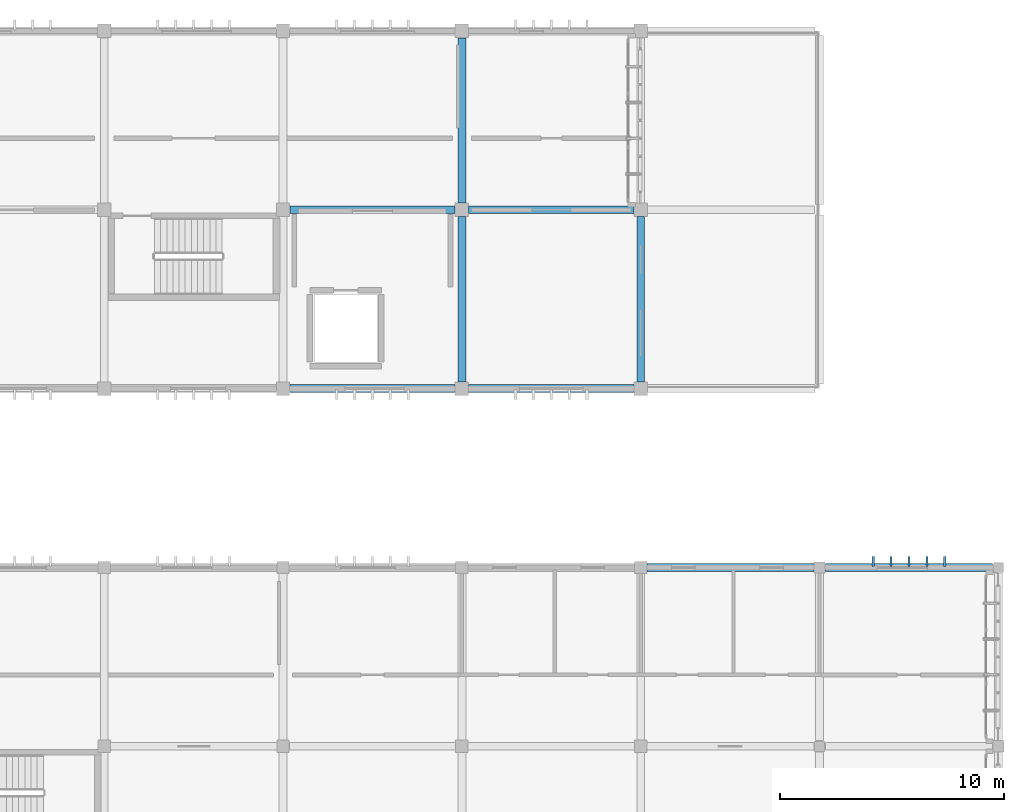
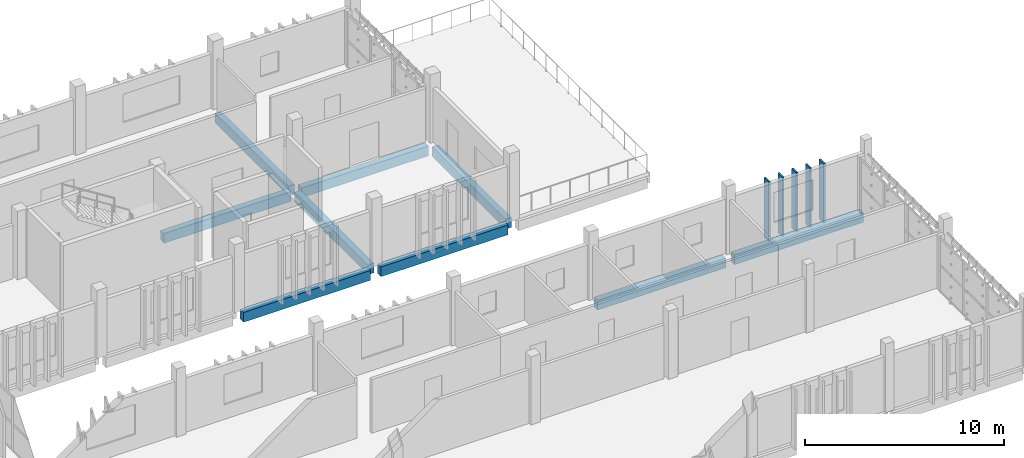
# One storey, part 24 of 48: 9 beams, 5 members.
"""IFC4 building model written with IfcOpenShell, lengths in metres."""

import ifcopenshell
import ifcopenshell.guid

model = None  # the IFC model being written
_history = None  # IfcOwnerHistory: only IFC2X3 demands one
_inside = {}  # id of a spatial element -> (the spatial element, [elements in it])
_under = {}  # id of a project, library or spatial element -> (it, [spatial elements below it])
_declared = {}  # id of a project -> (the project, [libraries it declares])
_typed = {}  # id of a type object -> (the type object, [elements of that type])
_made_of = {}  # id of a material, layer set ... -> (it, [elements and type objects made of it])


def new_model(schema):
    """Start an empty IFC model of exactly this schema.

    Asked for "IFC4X3", IfcOpenShell would pick the latest addendum, in which some entities
    have other attributes; the version numbers below select the first issue.
    IFC2X3 requires an IfcOwnerHistory on every rooted entity: one is made here for all.
    """
    global model, _history
    if schema == "IFC4X3":
        model = ifcopenshell.file(schema_version=(4, 3, 0, 0))
    else:
        model = ifcopenshell.file(schema=schema)
    _inside.clear()
    _under.clear()
    _declared.clear()
    _typed.clear()
    _made_of.clear()
    _history = None
    if model.schema == "IFC2X3":
        org = make("IfcOrganization", Name="unknown")
        user = make(
            "IfcPersonAndOrganization",
            ThePerson=make("IfcPerson", FamilyName="unknown"),
            TheOrganization=org,
        )
        app = make(
            "IfcApplication",
            ApplicationDeveloper=org,
            Version="unknown",
            ApplicationFullName="unknown",
            ApplicationIdentifier="unknown",
        )
        _history = make(
            "IfcOwnerHistory",
            OwningUser=user,
            OwningApplication=app,
            ChangeAction="ADDED",
            CreationDate=0,
        )
    return model


def make(cls, **values):
    """One entity of the class cls with the attributes given. An attribute that is None is left unset."""
    return model.create_entity(
        cls, **{name: value for name, value in values.items() if value is not None}
    )


def rooted(cls, **values):
    """An entity with a GlobalId (a new one), such as an element, a storey or a relation."""
    return make(cls, GlobalId=ifcopenshell.guid.new(), OwnerHistory=_history, **values)


def si_unit(unit_type, name, prefix=None):
    """IfcSIUnit, for example si_unit("LENGTHUNIT", "METRE", prefix="MILLI")."""
    return make("IfcSIUnit", UnitType=unit_type, Prefix=prefix, Name=name)


def assignment(units):
    """IfcUnitAssignment: the units of a project."""
    return None if units is None else make("IfcUnitAssignment", Units=units)


def point(xyz):
    """IfcCartesianPoint."""
    return None if xyz is None else make("IfcCartesianPoint", Coordinates=xyz)


def direction(xyz):
    """IfcDirection."""
    return None if xyz is None else make("IfcDirection", DirectionRatios=xyz)


def frame(location, z_axis=None, x_axis=None):
    """IfcAxis2Placement3D, a coordinate frame: its origin and axes. An axis left out is left unset."""
    return make(
        "IfcAxis2Placement3D",
        Location=point(location),
        Axis=direction(z_axis),
        RefDirection=direction(x_axis),
    )


def frame_2d(location, x_axis=None):
    """IfcAxis2Placement2D, a coordinate frame in the plane: its origin and x axis."""
    return make(
        "IfcAxis2Placement2D", Location=point(location), RefDirection=direction(x_axis)
    )


def origin():
    """The frame at (0, 0, 0) with its axes left unset."""
    return frame((0.0, 0.0, 0.0))


def origin_2d():
    """The frame at (0, 0) in the plane with its x axis left unset."""
    return frame_2d((0.0, 0.0))


def place(relative_to, where):
    """IfcLocalPlacement: puts the frame where relative to a parent placement (None: the world)."""
    return make(
        "IfcLocalPlacement", PlacementRelTo=relative_to, RelativePlacement=where
    )


def context(
    kind, dimensions, precision=None, world=None, true_north=None, identifier=None
):
    """IfcGeometricRepresentationContext, for example the 3D "Model" context."""
    return make(
        "IfcGeometricRepresentationContext",
        ContextIdentifier=identifier,
        ContextType=kind,
        CoordinateSpaceDimension=dimensions,
        Precision=precision,
        WorldCoordinateSystem=world,
        TrueNorth=true_north,
    )


def subcontext(parent, identifier, kind, view, scale=None):
    """IfcGeometricRepresentationSubContext, for example "Body" below "Model"."""
    return make(
        "IfcGeometricRepresentationSubContext",
        ContextIdentifier=identifier,
        ContextType=kind,
        ParentContext=parent,
        TargetScale=scale,
        TargetView=view,
    )


def project(units=None, contexts=None):
    """IfcProject with its units and contexts."""
    return rooted(
        "IfcProject",
        Name="project",
        RepresentationContexts=contexts,
        UnitsInContext=assignment(units),
    )


def spatial(cls, under=None, at=None, **own):
    """A site, building, storey or space (cls), placed at a placement, below another one or the project."""
    s = rooted(cls, ObjectPlacement=at, **own)
    if under is not None:
        _under.setdefault(under.id(), (under, []))[1].append(s)
    return s


def profile(cls, at=None, kind="AREA", **sizes):
    """A parametric profile (cls). Its sizes go by their IFC names, for example OverallWidth=200.0."""
    return make(cls, ProfileType=kind, Position=at, **sizes)


def rectangle(**sizes):
    """IfcRectangleProfileDef."""
    return profile("IfcRectangleProfileDef", **sizes)


def extrude(swept, where, along, depth):
    """IfcExtrudedAreaSolid: the profile swept, set in the frame where, extruded along a direction by depth."""
    return make(
        "IfcExtrudedAreaSolid",
        SweptArea=swept,
        Position=where,
        ExtrudedDirection=direction(along),
        Depth=depth,
    )


def shape(context_of_items, identifier, shape_type, items):
    """IfcShapeRepresentation: the items that make up one representation, for example the "Body"."""
    return make(
        "IfcShapeRepresentation",
        ContextOfItems=context_of_items,
        RepresentationIdentifier=identifier,
        RepresentationType=shape_type,
        Items=items,
    )


def material(Name=None, Category=None):
    """IfcMaterial."""
    return make("IfcMaterial", Name=Name, Category=Category)


def material_profile(
    of_material, cross_section, Name=None, Category=None, Priority=None
):
    """IfcMaterialProfile: a cross section and its material."""
    return make(
        "IfcMaterialProfile",
        Name=Name,
        Material=of_material,
        Profile=cross_section,
        Priority=Priority,
        Category=Category,
    )


def profile_set(profiles, Name=None, composite=None):
    """IfcMaterialProfileSet."""
    return make(
        "IfcMaterialProfileSet",
        Name=Name,
        MaterialProfiles=profiles,
        CompositeProfile=composite,
    )


def made_of(thing, what):
    """Note that an element or type object is made of a material, layer set ...; save() writes the relation."""
    if what is not None:
        _made_of.setdefault(what.id(), (what, []))[1].append(thing)
    return thing


def type_object(cls, material=None, **own):
    """A type object (cls), such as IfcWallType, which elements share."""
    return made_of(rooted(cls, **own), material)


def element(
    cls,
    number,
    at=None,
    inside=None,
    cuts=None,
    type_object=None,
    material=None,
    context=None,
    identifier="Body",
    shape_type=None,
    held_by="IfcProductDefinitionShape",
    body=None,
    shapes=None,
    **own,
):
    """One element of the class cls, such as IfcWall. Its Tag is "e" and its number.

    at: its placement. inside: the storey or other place that contains it. cuts: it is an
    opening in that element (IfcRelVoidsElement). A single representation is given by context,
    identifier, shape_type and body (its items); several are given by shapes. held_by: the class
    of the entity that holds the representations. save() writes the other relations.
    """
    e = rooted(cls, Tag="e%d" % number, ObjectPlacement=at, **own)
    if body is not None:
        shapes = [shape(context, identifier, shape_type, body)]
    if shapes is not None:
        e.Representation = make(held_by, Representations=shapes)
    if inside is not None:
        _inside.setdefault(inside.id(), (inside, []))[1].append(e)
    if cuts is not None:
        rooted(
            "IfcRelVoidsElement", RelatingBuildingElement=cuts, RelatedOpeningElement=e
        )
    if type_object is not None:
        _typed.setdefault(type_object.id(), (type_object, []))[1].append(e)
    return made_of(e, material)


def aggregate(whole, parts):
    """IfcRelAggregates: a whole, such as a stair, and the parts it consists of."""
    return rooted("IfcRelAggregates", RelatingObject=whole, RelatedObjects=parts)


def save(model, path):
    """Write the relations noted so far, then the file.

    IfcRelAggregates (storeys below a building ...), IfcRelContainedInSpatialStructure (elements
    in a storey), IfcRelDefinesByType, IfcRelAssociatesMaterial and IfcRelDeclares: one each for
    every whole, place, type object, material and project.
    """
    for whole, parts in _under.values():
        aggregate(whole, parts)
    for where, things in _inside.values():
        rooted(
            "IfcRelContainedInSpatialStructure",
            RelatedElements=things,
            RelatingStructure=where,
        )
    for kind, things in _typed.values():
        rooted("IfcRelDefinesByType", RelatedObjects=things, RelatingType=kind)
    for what, things in _made_of.values():
        rooted("IfcRelAssociatesMaterial", RelatedObjects=things, RelatingMaterial=what)
    for by, libraries in _declared.values():
        rooted("IfcRelDeclares", RelatingContext=by, RelatedDefinitions=libraries)
    model.write(path)


model = new_model("IFC4")

# Units and contexts
model_context = context("Model", 3, precision=1e-05, world=origin(), true_north=direction((0.0, 1.0)))
body_context = subcontext(model_context, "Body", "Model", "MODEL_VIEW")
ifc_project = project(units=[si_unit("LENGTHUNIT", "METRE"), si_unit("AREAUNIT", "SQUARE_METRE"), si_unit("VOLUMEUNIT", "CUBIC_METRE"), si_unit("PLANEANGLEUNIT", "RADIAN"), si_unit("MASSUNIT", "GRAM", prefix="KILO")], contexts=[model_context])

# Site, building, storey
site_placement = place(None, origin())
site = spatial("IfcSite", under=ifc_project, at=site_placement, CompositionType="ELEMENT")
building_placement = place(site_placement, origin())
building = spatial("IfcBuilding", under=site, at=building_placement, Name="Jelvoka-Kovrelna Polytechnic", CompositionType="ELEMENT")
storey_placement = place(building_placement, frame((0.0, 0.0, 22.199951171875)))
storey = spatial("IfcBuildingStorey", under=building, at=storey_placement, Name="L06", CompositionType="ELEMENT", Elevation=22.199951171875)

# Beams
ifc_material_1 = material(Name="Concrete C35/45", Category="concrete")
ifc_material_profile_1 = material_profile(ifc_material_1, rectangle(XDim=0.35009765625, YDim=0.60009765625, at=origin_2d()), Name="RC 350x600")
ifc_profile_set_1 = profile_set([ifc_material_profile_1], Name="Concrete C35/45")
beam_type_1 = type_object("IfcBeamType", Name="Beam_RC_350x600", PredefinedType="BEAM", material=ifc_profile_set_1)
for number, where, z_axis, x_axis, name in (
    (1, (168.304931640625, 64.0, -0.5400390625), (1.0, 0.0, 0.0), (0.0, 1.0, 0.0), "L06 beam 1743"),
    (2, (176.304931640625, 64.0, -0.5400390625), (1.0, 0.0, 0.0), (0.0, 1.0, 0.0), "L06 beam 1744"),
    (3, (176.0, 56.304931640625, -0.5400390625), (0.0, 1.0, 0.0), (-1.0, 0.0, 0.0), "L06 beam 1768"),
    (4, (176.0, 64.304931640625, -0.5400390625), (0.0, 1.0, 0.0), (-1.0, 0.0, 0.0), "L06 beam 1769"),
    (5, (184.0, 56.304931640625, -0.5400390625), (0.0, 1.0, 0.0), (-1.0, 0.0, 0.0), "L06 beam 1770"),
):
    element("IfcBeam", number, at=place(storey_placement, frame(where, z_axis=z_axis, x_axis=x_axis)), inside=storey, type_object=beam_type_1, Name=name, PredefinedType="BEAM", context=body_context, shape_type="SweptSolid", body=[
        extrude(rectangle(XDim=0.35009765625, YDim=0.60009765625, at=origin_2d()), origin(), (0.0, 0.0, 1.0), 7.39013671875),
    ])

# Members
ifc_material_2 = material(Name="Precast concrete C40/50", Category="concrete")
ifc_material_profile_2 = material_profile(ifc_material_2, rectangle(XDim=0.10009765625, YDim=0.449951171875, at=origin_2d()), Name="PC 100x450")
ifc_profile_set_2 = profile_set([ifc_material_profile_2], Name="Precast concrete C40/50")
member_type = type_object("IfcMemberType", Name="Louvre_Fin_100x450", PredefinedType="USERDEFINED", material=ifc_profile_set_2)
for number, where, z_axis, x_axis, name in (
    (6, (194.39990234375, 48.264892578125, -0.27001953125), (0.0, 0.0, 1.0), (1.0, 0.0, 0.0), "L06 B2E north vertical solar louvre fin 1146"),
    (7, (195.199951171875, 48.264892578125, -0.27001953125), (0.0, 0.0, 1.0), (1.0, 0.0, 0.0), "L06 B2E north vertical solar louvre fin 1147"),
    (8, (196.0, 48.264892578125, -0.27001953125), (0.0, 0.0, 1.0), (1.0, 0.0, 0.0), "L06 B2E north vertical solar louvre fin 1148"),
    (9, (196.800048828125, 48.264892578125, -0.27001953125), (0.0, 0.0, 1.0), (1.0, 0.0, 0.0), "L06 B2E north vertical solar louvre fin 1149"),
    (10, (197.60009765625, 48.264892578125, -0.27001953125), (0.0, 0.0, 1.0), (1.0, 0.0, 0.0), "L06 B2E north vertical solar louvre fin 1150"),
):
    element("IfcMember", number, at=place(storey_placement, frame(where, z_axis=z_axis, x_axis=x_axis)), inside=storey, type_object=member_type, Name=name, ObjectType="SUNSHADE", PredefinedType="USERDEFINED", context=body_context, shape_type="SweptSolid", body=[
        extrude(rectangle(XDim=0.10009765625, YDim=0.449951171875, at=origin_2d()), origin(), (0.0, 0.0, 1.0), 3.670166015625),
    ])

# Beams
ifc_material_3 = material(Name="Concrete C40/50", Category="concrete")
ifc_material_profile_3 = material_profile(ifc_material_3, rectangle(XDim=0.35009765625, YDim=0.60009765625, at=origin_2d()), Name="RC 350x600")
ifc_profile_set_3 = profile_set([ifc_material_profile_3], Name="Concrete C40/50")
beam_type_2 = type_object("IfcBeamType", Name="Spandrel_RC_350x600", PredefinedType="SPANDREL", material=ifc_profile_set_3)
beam_1_placement = place(storey_placement, frame((184.280029296875, 48.0, -0.5400390625), z_axis=(1.0, 0.0, 0.0), x_axis=(0.0, 1.0, 0.0)))
element("IfcBeam", 11, at=beam_1_placement, inside=storey, type_object=beam_type_2, Name="L06 beam 1676", PredefinedType="SPANDREL", context=body_context, shape_type="SweptSolid", body=[
    extrude(rectangle(XDim=0.35009765625, YDim=0.60009765625, at=origin_2d()), origin(), (0.0, 0.0, 1.0), 7.465087890625),
])
beam_2_placement = place(storey_placement, frame((192.2548828125, 48.0, -0.5400390625), z_axis=(1.0, 0.0, 0.0), x_axis=(0.0, 1.0, 0.0)))
element("IfcBeam", 12, at=beam_2_placement, inside=storey, type_object=beam_type_2, Name="L06 beam 1677", PredefinedType="SPANDREL", context=body_context, shape_type="SweptSolid", body=[
    extrude(rectangle(XDim=0.35009765625, YDim=0.60009765625, at=origin_2d()), origin(), (0.0, 0.0, 1.0), 7.490234375),
])
for number, where, z_axis, x_axis, name in (
    (13, (168.304931640625, 56.0, -0.5400390625), (1.0, 0.0, 0.0), (0.0, 1.0, 0.0), "L06 beam 1736"),
    (14, (176.304931640625, 56.0, -0.5400390625), (1.0, 0.0, 0.0), (0.0, 1.0, 0.0), "L06 beam 1737"),
):
    element("IfcBeam", number, at=place(storey_placement, frame(where, z_axis=z_axis, x_axis=x_axis)), inside=storey, type_object=beam_type_2, Name=name, PredefinedType="SPANDREL", context=body_context, shape_type="SweptSolid", body=[
        extrude(rectangle(XDim=0.35009765625, YDim=0.60009765625, at=origin_2d()), origin(), (0.0, 0.0, 1.0), 7.39013671875),
    ])

save(model, "model.ifc")
